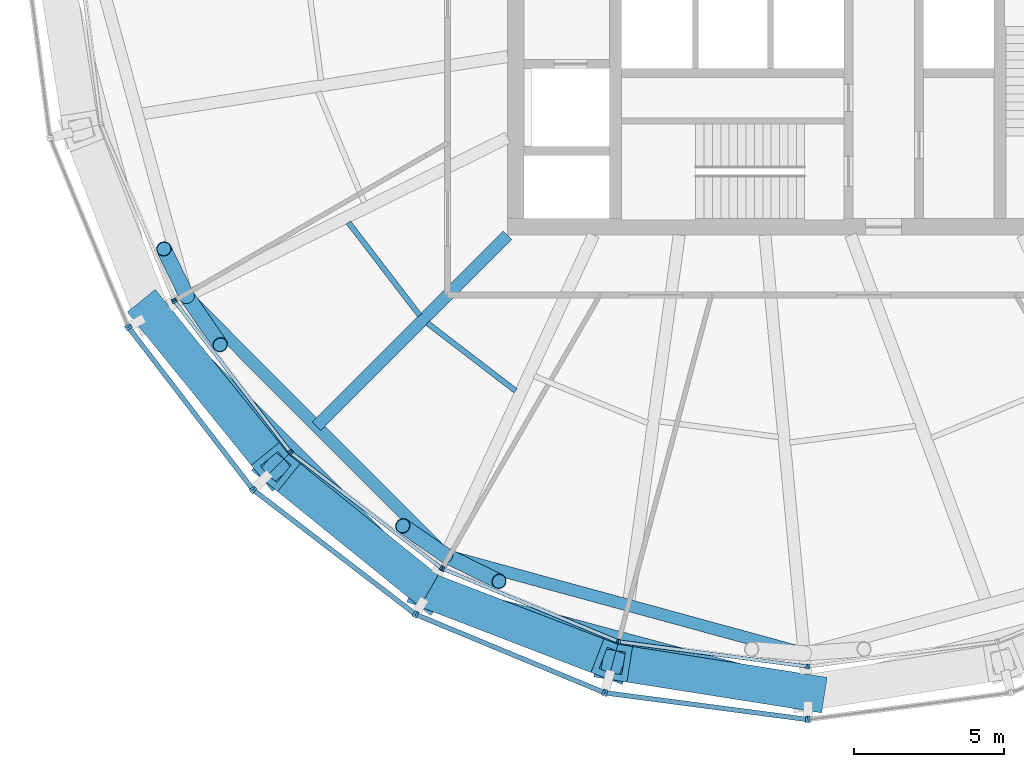
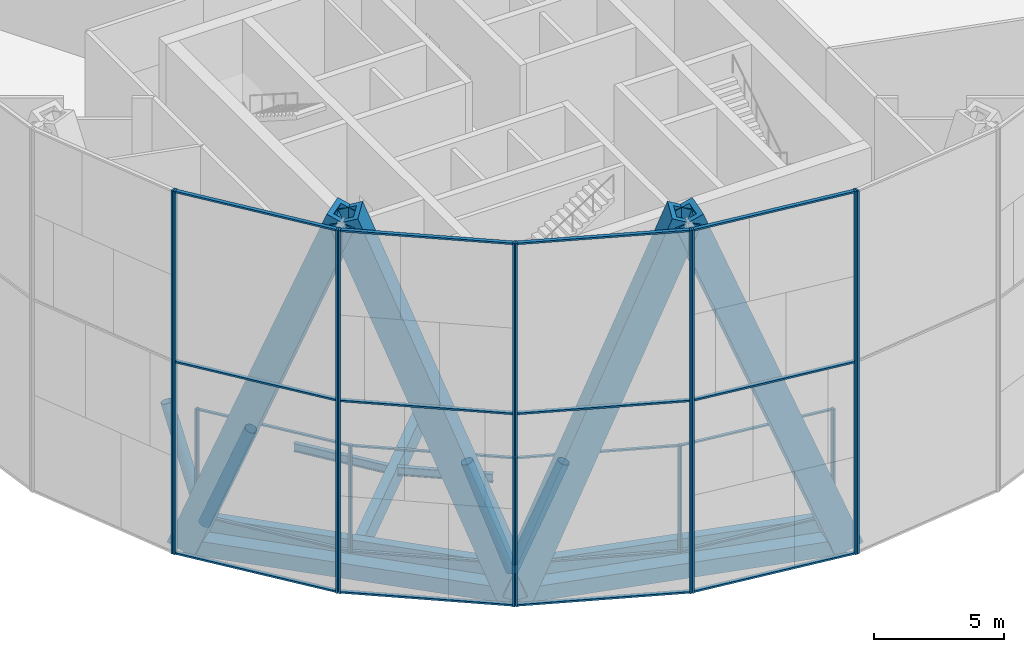
# One storey, part 1 of 17: 48 members, 7 beams, 12 elements without a shape of their own.
"""IFC4 building model written with IfcOpenShell, lengths in metres."""

from ifc_helpers import new_model, si_unit, direction, frame, origin, origin_2d, place, context, subcontext, project, spatial, rectangle, hollow_rectangle, hollow_circle, i_section, extrude, material, material_profile, profile_set, type_object, element, aggregate, save


model = new_model("IFC4")

# Units and contexts
model_context = context("Model", 3, precision=1e-05, world=origin(), true_north=direction((0.0, 1.0)))
body_context = subcontext(model_context, "Body", "Model", "MODEL_VIEW")
ifc_project = project(units=[si_unit("LENGTHUNIT", "METRE"), si_unit("AREAUNIT", "SQUARE_METRE"), si_unit("VOLUMEUNIT", "CUBIC_METRE"), si_unit("PLANEANGLEUNIT", "RADIAN"), si_unit("MASSUNIT", "GRAM", prefix="KILO")], contexts=[model_context])

# Site, building, storey
site_placement = place(None, origin())
site = spatial("IfcSite", under=ifc_project, at=site_placement, CompositionType="ELEMENT")
building_placement = place(site_placement, origin())
building = spatial("IfcBuilding", under=site, at=building_placement, Name="Golbaran Civic Tower", CompositionType="ELEMENT")
storey_placement = place(building_placement, frame((0.0, 0.0, 150.0)))
storey = spatial("IfcBuildingStorey", under=building, at=storey_placement, Name="L36", CompositionType="ELEMENT", Elevation=150.0)

# Members
ifc_material_1 = material(Name="Steel S355", Category="steel")
ifc_material_profile_1 = material_profile(ifc_material_1, hollow_circle(Radius=0.25390625, WallThickness=0.02490234375, at=origin_2d()), Name="CHS 508.0x25")
ifc_profile_set_1 = profile_set([ifc_material_profile_1], Name="Steel S355")
member_type_1 = type_object("IfcMemberType", Name="BELT TRUSS DIAGONAL CHS 508.0x25", PredefinedType="BRACE", material=ifc_profile_set_1)
member_1_placement = place(storey_placement, frame((-20.683349609375, -12.037841796875, -0.60009765625), z_axis=(0.206640802217, -0.300481641772, 0.931133911861), x_axis=(0.823965525405, 0.56663993236, 0.0)))
element("IfcMember", 1, at=member_1_placement, inside=storey, type_object=member_type_1, Name="Belt truss diagonal 210.00R L36", PredefinedType="BRACE", context=body_context, shape_type="SweptSolid", body=[
    extrude(hollow_circle(Radius=0.25390625, WallThickness=0.02490234375, at=origin_2d()), origin(), (0.0, 0.0, 1.0), 5.369873046875),
])
member_2_placement = place(storey_placement, frame((-20.683349609375, -12.037841796875, -0.60009765625), z_axis=(-0.144666349872, 0.297948179816, 0.943556320184), x_axis=(-0.89956906414, -0.436778546683, 0.0)))
element("IfcMember", 2, at=member_2_placement, inside=storey, type_object=member_type_1, Name="Belt truss diagonal 210.00L L36", PredefinedType="BRACE", context=body_context, shape_type="SweptSolid", body=[
    extrude(hollow_circle(Radius=0.25390625, WallThickness=0.02490234375, at=origin_2d()), origin(), (0.0, 0.0, 1.0), 5.299072265625),
])
member_3_placement = place(storey_placement, frame((-12.068603515625, -20.66552734375, -0.60009765625), z_axis=(0.331275116984, -0.161325262505, 0.929640229629), x_axis=(0.437826456737, 0.899059505139, 0.0)))
element("IfcMember", 3, at=member_3_placement, inside=storey, type_object=member_type_1, Name="Belt truss diagonal 240.00R L36", PredefinedType="BRACE", context=body_context, shape_type="SweptSolid", body=[
    extrude(hollow_circle(Radius=0.25390625, WallThickness=0.02490234375, at=origin_2d()), origin(), (0.0, 0.0, 1.0), 5.37841796875),
])
member_4_placement = place(storey_placement, frame((-12.068603515625, -20.66552734375, -0.60009765625), z_axis=(-0.269161972985, 0.18559394057, 0.945043237912), x_axis=(-0.567660393907, -0.823262823884, 0.0)))
element("IfcMember", 4, at=member_4_placement, inside=storey, type_object=member_type_1, Name="Belt truss diagonal 240.00L L36", PredefinedType="BRACE", context=body_context, shape_type="SweptSolid", body=[
    extrude(hollow_circle(Radius=0.25390625, WallThickness=0.02490234375, at=origin_2d()), origin(), (0.0, 0.0, 1.0), 5.290771484375),
])
ifc_material_profile_2 = material_profile(ifc_material_1, hollow_rectangle(XDim=1.199951171875, YDim=1.199951171875, WallThickness=0.219970703125, at=origin_2d()), Name="BOX 1200x1200x220")
ifc_profile_set_2 = profile_set([ifc_material_profile_2], Name="Steel S355")
member_type_2 = type_object("IfcMemberType", Name="DIAGRID DIAGONAL BOX 1200x1200x220", PredefinedType="BRACE", material=ifc_profile_set_2)
for number, where, z_axis, x_axis, name in (
    (5, (-21.853271484375, -12.616943359375, -0.7099609375), (0.22667961159, -0.280131041779, 0.932814533078), (0.77737125081, 0.629042080003, 0.0), "Diagonal D08-07R L36-L40"),
    (6, (-12.616943359375, -21.853271484375, -0.7099609375), (0.336369669426, -0.129261656788, 0.932816632342), (0.358710018371, 0.933449046665, 0.0), "Diagonal D08-08R L36-L40"),
    (7, (-12.616943359375, -21.853271484375, -0.7099609375), (-0.280131041779, 0.22667961159, 0.932814533078), (-0.629042080003, -0.77737125081, 0.0), "Diagonal D08-08L L36-L40"),
    (8, (0.0, -25.23388671875, -0.7099609375), (-0.35594104321, 0.056237881046, 0.932814705337), (-0.15606184074, -0.987747286438, 0.0), "Diagonal D08-09L L36-L40"),
):
    element("IfcMember", number, at=place(storey_placement, frame(where, z_axis=z_axis, x_axis=x_axis)), inside=storey, type_object=member_type_2, Name=name, PredefinedType="BRACE", context=body_context, shape_type="SweptSolid", body=[
        extrude(hollow_rectangle(XDim=1.199951171875, YDim=1.199951171875, WallThickness=0.219970703125, at=origin_2d()), origin(), (0.0, 0.0, 1.0), 18.224365234375),
    ])

# Beams
ifc_material_profile_3 = material_profile(ifc_material_1, hollow_rectangle(XDim=0.699951171875, YDim=0.699951171875, WallThickness=0.080078125, at=origin_2d()), Name="BOX 700x700x80")
ifc_profile_set_3 = profile_set([ifc_material_profile_3], Name="Steel S355")
beam_type_1 = type_object("IfcBeamType", Name="DIAGRID RING TIE BOX 700x700x80", PredefinedType="BEAM", material=ifc_profile_set_3)
beam_1_placement = place(storey_placement, frame((-21.853271484375, -12.616943359375, -0.7099609375), z_axis=(0.707106781187, -0.707106781187, 0.0), x_axis=(0.707106781187, 0.707106781187, 0.0)))
element("IfcBeam", 9, at=beam_1_placement, inside=storey, type_object=beam_type_1, Name="Ring tie 210.00 L36", PredefinedType="BEAM", context=body_context, shape_type="SweptSolid", body=[
    extrude(hollow_rectangle(XDim=0.699951171875, YDim=0.699951171875, WallThickness=0.080078125, at=origin_2d()), origin(), (0.0, 0.0, 1.0), 13.062255859375),
])
beam_2_placement = place(storey_placement, frame((-12.616943359375, -21.853271484375, -0.7099609375), z_axis=(0.965927444509, -0.258813005749, 0.0), x_axis=(0.258813005749, 0.965927444509, 0.0)))
element("IfcBeam", 10, at=beam_2_placement, inside=storey, type_object=beam_type_1, Name="Ring tie 240.00 L36", PredefinedType="BEAM", context=body_context, shape_type="SweptSolid", body=[
    extrude(hollow_rectangle(XDim=0.699951171875, YDim=0.699951171875, WallThickness=0.080078125, at=origin_2d()), origin(), (0.0, 0.0, 1.0), 13.06201171875),
])
ifc_material_profile_4 = material_profile(ifc_material_1, hollow_rectangle(XDim=0.39990234375, YDim=0.800048828125, WallThickness=0.0400390625, at=origin_2d()), Name="BOX 800x400x40")
ifc_profile_set_4 = profile_set([ifc_material_profile_4], Name="Steel S355")
beam_type_2 = type_object("IfcBeamType", Name="EDGE BEAM BOX 800x400x40", PredefinedType="BEAM", material=ifc_profile_set_4)
beam_3_placement = place(storey_placement, frame((-20.54931640625, -12.17236328125, -0.60009765625), z_axis=(0.706589807333, -0.707623377351, 0.0), x_axis=(0.707623377351, 0.706589807333, 0.0)))
element("IfcBeam", 11, at=beam_3_placement, inside=storey, type_object=beam_type_2, Name="Edge beam 210.00 L36", PredefinedType="BEAM", context=body_context, shape_type="SweptSolid", body=[
    extrude(hollow_rectangle(XDim=0.39990234375, YDim=0.800048828125, WallThickness=0.0400390625, at=origin_2d()), origin(), (0.0, 0.0, 1.0), 11.810546875),
])
beam_4_placement = place(storey_placement, frame((-11.892578125, -20.7138671875, -0.60009765625), z_axis=(0.964616368388, -0.263657470665, 0.0), x_axis=(0.263657470665, 0.964616368388, 0.0)))
element("IfcBeam", 12, at=beam_4_placement, inside=storey, type_object=beam_type_2, Name="Edge beam 240.00 L36", PredefinedType="BEAM", context=body_context, shape_type="SweptSolid", body=[
    extrude(hollow_rectangle(XDim=0.39990234375, YDim=0.800048828125, WallThickness=0.0400390625, at=origin_2d()), origin(), (0.0, 0.0, 1.0), 12.010009765625),
])
ifc_material_profile_5 = material_profile(ifc_material_1, i_section(OverallWidth=0.179931640625, OverallDepth=0.39990234375, WebThickness=0.008544921875, FlangeThickness=0.013427734375, FilletRadius=0.02099609375, at=origin_2d()), Name="IPE 400")
ifc_profile_set_5 = profile_set([ifc_material_profile_5], Name="Steel S355")
beam_type_3 = type_object("IfcBeamType", Name="FLOOR INFILL BEAM IPE 400", PredefinedType="BEAM", material=ifc_profile_set_5)
beam_5_placement = place(storey_placement, frame((-15.304931640625, -9.57666015625, -0.39990234375), z_axis=(0.608749219954, -0.793362708479, 0.0), x_axis=(0.793362708479, 0.608749219954, 0.0)))
element("IfcBeam", 13, at=beam_5_placement, inside=storey, type_object=beam_type_3, Name="Infill beam 217.50 L36", PredefinedType="BEAM", context=body_context, shape_type="SweptSolid", body=[
    extrude(i_section(OverallWidth=0.179931640625, OverallDepth=0.39990234375, WebThickness=0.008544921875, FlangeThickness=0.013427734375, FilletRadius=0.02099609375, at=origin_2d()), origin(), (0.0, 0.0, 1.0), 3.90380859375),
])
beam_6_placement = place(storey_placement, frame((-12.675537109375, -12.929931640625, -0.39990234375), z_axis=(0.793365568043, -0.608745493161, 0.0), x_axis=(0.608745493161, 0.793365568043, 0.0)))
element("IfcBeam", 14, at=beam_6_placement, inside=storey, type_object=beam_type_3, Name="Infill beam 232.50 L36", PredefinedType="BEAM", context=body_context, shape_type="SweptSolid", body=[
    extrude(i_section(OverallWidth=0.179931640625, OverallDepth=0.39990234375, WebThickness=0.008544921875, FlangeThickness=0.013427734375, FilletRadius=0.02099609375, at=origin_2d()), origin(), (0.0, 0.0, 1.0), 3.705322265625),
])

# Curtain wall, member
ifc_material_2 = material(Name="Aluminium and glass", Category="aluminium")
curtain_wall_type_1 = type_object("IfcCurtainWallType", Name="OUTER SKIN TERRACOTTA SCREEN", PredefinedType="NOTDEFINED", material=ifc_material_2)
curtain_wall_1_placement = place(storey_placement, origin())
curtain_wall_1 = element("IfcCurtainWall", 15, at=curtain_wall_1_placement, inside=storey, type_object=curtain_wall_type_1, Name="Outer skin L36 facet 14 CW3", ObjectType="OUTER SKIN", PredefinedType="USERDEFINED")
ifc_material_3 = material(Name="Aluminium", Category="aluminium")
ifc_material_profile_6 = material_profile(ifc_material_3, rectangle(XDim=0.219970703125, YDim=0.080078125, at=origin_2d()), Name="OUTER SKIN TERRACOTTA SCREEN MULLION")
ifc_profile_set_6 = profile_set([ifc_material_profile_6], Name="Aluminium")
member_type_3 = type_object("IfcMemberType", Name="OUTER SKIN TERRACOTTA SCREEN MULLION", PredefinedType="MULLION", material=ifc_profile_set_6)
member_5_placement = place(storey_placement, frame((-22.64794921875, -13.030029296875, -0.7099609375), z_axis=(0.0, 0.0, 1.0), x_axis=(0.923879532545, 0.382683432284, 0.0)))
member_5 = element("IfcMember", 16, at=member_5_placement, type_object=member_type_3, Name="CW3 mullion 2", PredefinedType="MULLION", context=body_context, shape_type="SweptSolid", body=[
    extrude(rectangle(XDim=0.219970703125, YDim=0.080078125, at=origin_2d()), origin(), (0.0, 0.0, 1.0), 17.0),
])
aggregate(curtain_wall_1, [member_5])

# Curtain wall, members
curtain_wall_2_placement = place(storey_placement, origin())
curtain_wall_2 = element("IfcCurtainWall", 17, at=curtain_wall_2_placement, inside=storey, type_object=curtain_wall_type_1, Name="Outer skin L36 facet 15 CW3", ObjectType="OUTER SKIN", PredefinedType="USERDEFINED")
member_6_placement = place(storey_placement, frame((-22.6083984375, -13.0986328125, -0.7099609375), z_axis=(0.0, 0.0, 1.0), x_axis=(0.793353340312, 0.608761428981, 0.0)))
member_6 = element("IfcMember", 18, at=member_6_placement, type_object=member_type_3, Name="CW3 mullion 1", PredefinedType="MULLION", context=body_context, shape_type="SweptSolid", body=[
    extrude(rectangle(XDim=0.219970703125, YDim=0.080078125, at=origin_2d()), origin(), (0.0, 0.0, 1.0), 17.0),
])
member_7_placement = place(storey_placement, frame((-18.50390625, -18.44775390625, -0.7099609375), z_axis=(0.0, 0.0, 1.0), x_axis=(0.793353340312, 0.608761428981, 0.0)))
member_7 = element("IfcMember", 19, at=member_7_placement, type_object=member_type_3, Name="CW3 mullion 2", PredefinedType="MULLION", context=body_context, shape_type="SweptSolid", body=[
    extrude(rectangle(XDim=0.219970703125, YDim=0.080078125, at=origin_2d()), origin(), (0.0, 0.0, 1.0), 17.0),
])

curtain_wall_3_placement = place(storey_placement, origin())
curtain_wall_3 = element("IfcCurtainWall", 20, at=curtain_wall_3_placement, inside=storey, type_object=curtain_wall_type_1, Name="Outer skin L36 facet 16 CW3", ObjectType="OUTER SKIN", PredefinedType="USERDEFINED")
member_8_placement = place(storey_placement, frame((-18.44775390625, -18.50390625, -0.7099609375), z_axis=(0.0, 0.0, 1.0), x_axis=(0.608761428981, 0.793353340312, 0.0)))
member_8 = element("IfcMember", 21, at=member_8_placement, type_object=member_type_3, Name="CW3 mullion 1", PredefinedType="MULLION", context=body_context, shape_type="SweptSolid", body=[
    extrude(rectangle(XDim=0.219970703125, YDim=0.080078125, at=origin_2d()), origin(), (0.0, 0.0, 1.0), 17.0),
])
member_9_placement = place(storey_placement, frame((-13.0986328125, -22.6083984375, -0.7099609375), z_axis=(0.0, 0.0, 1.0), x_axis=(0.608761428981, 0.793353340312, 0.0)))
member_9 = element("IfcMember", 22, at=member_9_placement, type_object=member_type_3, Name="CW3 mullion 2", PredefinedType="MULLION", context=body_context, shape_type="SweptSolid", body=[
    extrude(rectangle(XDim=0.219970703125, YDim=0.080078125, at=origin_2d()), origin(), (0.0, 0.0, 1.0), 17.0),
])

curtain_wall_4_placement = place(storey_placement, origin())
curtain_wall_4 = element("IfcCurtainWall", 23, at=curtain_wall_4_placement, inside=storey, type_object=curtain_wall_type_1, Name="Outer skin L36 facet 17 CW3", ObjectType="OUTER SKIN", PredefinedType="USERDEFINED")
member_10_placement = place(storey_placement, frame((-13.030029296875, -22.64794921875, -0.7099609375), z_axis=(0.0, 0.0, 1.0), x_axis=(0.382683432284, 0.923879532545, 0.0)))
member_10 = element("IfcMember", 24, at=member_10_placement, type_object=member_type_3, Name="CW3 mullion 1", PredefinedType="MULLION", context=body_context, shape_type="SweptSolid", body=[
    extrude(rectangle(XDim=0.219970703125, YDim=0.080078125, at=origin_2d()), origin(), (0.0, 0.0, 1.0), 17.0),
])
member_11_placement = place(storey_placement, frame((-6.801025390625, -25.228271484375, -0.7099609375), z_axis=(0.0, 0.0, 1.0), x_axis=(0.382683432284, 0.923879532545, 0.0)))
member_11 = element("IfcMember", 25, at=member_11_placement, type_object=member_type_3, Name="CW3 mullion 2", PredefinedType="MULLION", context=body_context, shape_type="SweptSolid", body=[
    extrude(rectangle(XDim=0.219970703125, YDim=0.080078125, at=origin_2d()), origin(), (0.0, 0.0, 1.0), 17.0),
])

curtain_wall_5_placement = place(storey_placement, origin())
curtain_wall_5 = element("IfcCurtainWall", 26, at=curtain_wall_5_placement, inside=storey, type_object=curtain_wall_type_1, Name="Outer skin L36 facet 18 CW3", ObjectType="OUTER SKIN", PredefinedType="USERDEFINED")
member_12_placement = place(storey_placement, frame((-6.724365234375, -25.248779296875, -0.7099609375), z_axis=(0.0, 0.0, 1.0), x_axis=(0.130526192255, 0.991444861369, 0.0)))
member_12 = element("IfcMember", 27, at=member_12_placement, type_object=member_type_3, Name="CW3 mullion 1", PredefinedType="MULLION", context=body_context, shape_type="SweptSolid", body=[
    extrude(rectangle(XDim=0.219970703125, YDim=0.080078125, at=origin_2d()), origin(), (0.0, 0.0, 1.0), 17.0),
])
member_13_placement = place(storey_placement, frame((-0.03955078125, -26.128662109375, -0.7099609375), z_axis=(0.0, 0.0, 1.0), x_axis=(0.130526192255, 0.991444861369, 0.0)))
member_13 = element("IfcMember", 28, at=member_13_placement, type_object=member_type_3, Name="CW3 mullion 2", PredefinedType="MULLION", context=body_context, shape_type="SweptSolid", body=[
    extrude(rectangle(XDim=0.219970703125, YDim=0.080078125, at=origin_2d()), origin(), (0.0, 0.0, 1.0), 17.0),
])

# Curtain wall, member
curtain_wall_6_placement = place(storey_placement, origin())
curtain_wall_6 = element("IfcCurtainWall", 29, at=curtain_wall_6_placement, inside=storey, type_object=curtain_wall_type_1, Name="Outer skin L36 facet 19 CW3", ObjectType="OUTER SKIN", PredefinedType="USERDEFINED")
member_14_placement = place(storey_placement, frame((0.03955078125, -26.128662109375, -0.7099609375), z_axis=(0.0, 0.0, 1.0), x_axis=(-0.130526192255, 0.991444861369, 0.0)))
member_14 = element("IfcMember", 30, at=member_14_placement, type_object=member_type_3, Name="CW3 mullion 1", PredefinedType="MULLION", context=body_context, shape_type="SweptSolid", body=[
    extrude(rectangle(XDim=0.219970703125, YDim=0.080078125, at=origin_2d()), origin(), (0.0, 0.0, 1.0), 17.0),
])
aggregate(curtain_wall_6, [member_14])

# Member
ifc_material_profile_7 = material_profile(ifc_material_3, rectangle(XDim=0.159912109375, YDim=0.080078125, at=origin_2d()), Name="OUTER SKIN TERRACOTTA SCREEN TRANSOM")
ifc_profile_set_7 = profile_set([ifc_material_profile_7], Name="Aluminium")
member_type_4 = type_object("IfcMemberType", Name="OUTER SKIN TERRACOTTA SCREEN TRANSOM", PredefinedType="USERDEFINED", material=ifc_profile_set_7)
member_15_placement = place(storey_placement, frame((-22.583984375, -13.13037109375, -0.669921875), z_axis=(0.608746914516, -0.793364477442, 0.0), x_axis=(0.793364477442, 0.608746914516, 0.0)))
member_15 = element("IfcMember", 31, at=member_15_placement, type_object=member_type_4, Name="CW3 transom 1.1", ObjectType="TRANSOM", PredefinedType="USERDEFINED", context=body_context, shape_type="SweptSolid", body=[
    extrude(rectangle(XDim=0.159912109375, YDim=0.080078125, at=origin_2d()), origin(), (0.0, 0.0, 1.0), 6.662353515625),
])

member_16_placement = place(storey_placement, frame((-22.583984375, -13.13037109375, 8.2900390625), z_axis=(0.608746914516, -0.793364477442, 0.0), x_axis=(0.793364477442, 0.608746914516, 0.0)))
member_16 = element("IfcMember", 32, at=member_16_placement, type_object=member_type_4, Name="CW3 transom 1.2", ObjectType="TRANSOM", PredefinedType="USERDEFINED", context=body_context, shape_type="SweptSolid", body=[
    extrude(rectangle(XDim=0.159912109375, YDim=0.080078125, at=origin_2d()), origin(), (0.0, 0.0, 1.0), 6.662353515625),
])

member_17_placement = place(storey_placement, frame((-22.583984375, -13.13037109375, 16.25), z_axis=(0.608746914516, -0.793364477442, 0.0), x_axis=(0.793364477442, 0.608746914516, 0.0)))
member_17 = element("IfcMember", 33, at=member_17_placement, type_object=member_type_4, Name="CW3 transom 1.3", ObjectType="TRANSOM", PredefinedType="USERDEFINED", context=body_context, shape_type="SweptSolid", body=[
    extrude(rectangle(XDim=0.159912109375, YDim=0.080078125, at=origin_2d()), origin(), (0.0, 0.0, 1.0), 6.662353515625),
])

aggregate(curtain_wall_2, [member_6, member_7, member_15, member_16, member_17])

member_18_placement = place(storey_placement, frame((-18.416015625, -18.5283203125, -0.669921875), z_axis=(0.793364477442, -0.608746914516, 0.0), x_axis=(0.608746914516, 0.793364477442, 0.0)))
member_18 = element("IfcMember", 34, at=member_18_placement, type_object=member_type_4, Name="CW3 transom 1.1", ObjectType="TRANSOM", PredefinedType="USERDEFINED", context=body_context, shape_type="SweptSolid", body=[
    extrude(rectangle(XDim=0.159912109375, YDim=0.080078125, at=origin_2d()), origin(), (0.0, 0.0, 1.0), 6.662353515625),
])

member_19_placement = place(storey_placement, frame((-18.416015625, -18.5283203125, 8.2900390625), z_axis=(0.793364477442, -0.608746914516, 0.0), x_axis=(0.608746914516, 0.793364477442, 0.0)))
member_19 = element("IfcMember", 35, at=member_19_placement, type_object=member_type_4, Name="CW3 transom 1.2", ObjectType="TRANSOM", PredefinedType="USERDEFINED", context=body_context, shape_type="SweptSolid", body=[
    extrude(rectangle(XDim=0.159912109375, YDim=0.080078125, at=origin_2d()), origin(), (0.0, 0.0, 1.0), 6.662353515625),
])

member_20_placement = place(storey_placement, frame((-18.416015625, -18.5283203125, 16.25), z_axis=(0.793364477442, -0.608746914516, 0.0), x_axis=(0.608746914516, 0.793364477442, 0.0)))
member_20 = element("IfcMember", 36, at=member_20_placement, type_object=member_type_4, Name="CW3 transom 1.3", ObjectType="TRANSOM", PredefinedType="USERDEFINED", context=body_context, shape_type="SweptSolid", body=[
    extrude(rectangle(XDim=0.159912109375, YDim=0.080078125, at=origin_2d()), origin(), (0.0, 0.0, 1.0), 6.662353515625),
])

aggregate(curtain_wall_3, [member_8, member_9, member_18, member_19, member_20])

member_21_placement = place(storey_placement, frame((-12.9931640625, -22.663330078125, -0.669921875), z_axis=(0.923881506114, -0.382678667632, 0.0), x_axis=(0.382678667632, 0.923881506114, 0.0)))
member_21 = element("IfcMember", 37, at=member_21_placement, type_object=member_type_4, Name="CW3 transom 1.1", ObjectType="TRANSOM", PredefinedType="USERDEFINED", context=body_context, shape_type="SweptSolid", body=[
    extrude(rectangle(XDim=0.159912109375, YDim=0.080078125, at=origin_2d()), origin(), (0.0, 0.0, 1.0), 6.662353515625),
])

member_22_placement = place(storey_placement, frame((-12.9931640625, -22.663330078125, 8.2900390625), z_axis=(0.923881506114, -0.382678667632, 0.0), x_axis=(0.382678667632, 0.923881506114, 0.0)))
member_22 = element("IfcMember", 38, at=member_22_placement, type_object=member_type_4, Name="CW3 transom 1.2", ObjectType="TRANSOM", PredefinedType="USERDEFINED", context=body_context, shape_type="SweptSolid", body=[
    extrude(rectangle(XDim=0.159912109375, YDim=0.080078125, at=origin_2d()), origin(), (0.0, 0.0, 1.0), 6.662353515625),
])

member_23_placement = place(storey_placement, frame((-12.9931640625, -22.663330078125, 16.25), z_axis=(0.923881506114, -0.382678667632, 0.0), x_axis=(0.382678667632, 0.923881506114, 0.0)))
member_23 = element("IfcMember", 39, at=member_23_placement, type_object=member_type_4, Name="CW3 transom 1.3", ObjectType="TRANSOM", PredefinedType="USERDEFINED", context=body_context, shape_type="SweptSolid", body=[
    extrude(rectangle(XDim=0.159912109375, YDim=0.080078125, at=origin_2d()), origin(), (0.0, 0.0, 1.0), 6.662353515625),
])

aggregate(curtain_wall_4, [member_10, member_11, member_21, member_22, member_23])

member_24_placement = place(storey_placement, frame((-6.6845703125, -25.25390625, -0.669921875), z_axis=(0.991444189485, -0.130531295618, 0.0), x_axis=(0.130531295618, 0.991444189485, 0.0)))
member_24 = element("IfcMember", 40, at=member_24_placement, type_object=member_type_4, Name="CW3 transom 1.1", ObjectType="TRANSOM", PredefinedType="USERDEFINED", context=body_context, shape_type="SweptSolid", body=[
    extrude(rectangle(XDim=0.159912109375, YDim=0.080078125, at=origin_2d()), origin(), (0.0, 0.0, 1.0), 6.662109375),
])

member_25_placement = place(storey_placement, frame((-6.6845703125, -25.25390625, 8.2900390625), z_axis=(0.991444189485, -0.130531295618, 0.0), x_axis=(0.130531295618, 0.991444189485, 0.0)))
member_25 = element("IfcMember", 41, at=member_25_placement, type_object=member_type_4, Name="CW3 transom 1.2", ObjectType="TRANSOM", PredefinedType="USERDEFINED", context=body_context, shape_type="SweptSolid", body=[
    extrude(rectangle(XDim=0.159912109375, YDim=0.080078125, at=origin_2d()), origin(), (0.0, 0.0, 1.0), 6.662109375),
])

member_26_placement = place(storey_placement, frame((-6.6845703125, -25.25390625, 16.25), z_axis=(0.991444189485, -0.130531295618, 0.0), x_axis=(0.130531295618, 0.991444189485, 0.0)))
member_26 = element("IfcMember", 42, at=member_26_placement, type_object=member_type_4, Name="CW3 transom 1.3", ObjectType="TRANSOM", PredefinedType="USERDEFINED", context=body_context, shape_type="SweptSolid", body=[
    extrude(rectangle(XDim=0.159912109375, YDim=0.080078125, at=origin_2d()), origin(), (0.0, 0.0, 1.0), 6.662109375),
])

aggregate(curtain_wall_5, [member_12, member_13, member_24, member_25, member_26])

# Curtain wall, member
curtain_wall_type_2 = type_object("IfcCurtainWallType", Name="PLANT FLOOR LOUVRE WALL", PredefinedType="NOTDEFINED", material=ifc_material_2)
curtain_wall_7_placement = place(storey_placement, origin())
curtain_wall_7 = element("IfcCurtainWall", 43, at=curtain_wall_7_placement, inside=storey, type_object=curtain_wall_type_2, Name="Inner skin L36 facet 14 CW6", ObjectType="PLANT LOUVRE WALL", PredefinedType="USERDEFINED")
ifc_material_profile_8 = material_profile(ifc_material_3, rectangle(XDim=0.159912109375, YDim=0.070068359375, at=origin_2d()), Name="PLANT FLOOR LOUVRE WALL MULLION")
ifc_profile_set_8 = profile_set([ifc_material_profile_8], Name="Aluminium")
member_type_5 = type_object("IfcMemberType", Name="PLANT FLOOR LOUVRE WALL MULLION", PredefinedType="MULLION", material=ifc_profile_set_8)
member_27_placement = place(storey_placement, frame((-21.118408203125, -12.152587890625, 0.0), z_axis=(0.0, 0.0, 1.0), x_axis=(0.923879532485, 0.38268343243, 0.0)))
member_27 = element("IfcMember", 44, at=member_27_placement, type_object=member_type_5, Name="CW6 mullion 2", PredefinedType="MULLION", context=body_context, shape_type="SweptSolid", body=[
    extrude(rectangle(XDim=0.159912109375, YDim=0.070068359375, at=origin_2d()), origin(), (0.0, 0.0, 1.0), 5.0),
])
aggregate(curtain_wall_7, [member_27])

# Curtain wall, members
curtain_wall_8_placement = place(storey_placement, origin())
curtain_wall_8 = element("IfcCurtainWall", 45, at=curtain_wall_8_placement, inside=storey, type_object=curtain_wall_type_2, Name="Inner skin L36 facet 15 CW6", ObjectType="PLANT LOUVRE WALL", PredefinedType="USERDEFINED")
member_28_placement = place(storey_placement, frame((-21.083740234375, -12.212646484375, 0.0), z_axis=(0.0, 0.0, 1.0), x_axis=(0.793353340376, 0.608761428898, 0.0)))
member_28 = element("IfcMember", 46, at=member_28_placement, type_object=member_type_5, Name="CW6 mullion 1", PredefinedType="MULLION", context=body_context, shape_type="SweptSolid", body=[
    extrude(rectangle(XDim=0.159912109375, YDim=0.070068359375, at=origin_2d()), origin(), (0.0, 0.0, 1.0), 5.0),
])
member_29_placement = place(storey_placement, frame((-17.25341796875, -17.204345703125, 0.0), z_axis=(0.0, 0.0, 1.0), x_axis=(0.793353340376, 0.608761428898, 0.0)))
member_29 = element("IfcMember", 47, at=member_29_placement, type_object=member_type_5, Name="CW6 mullion 2", PredefinedType="MULLION", context=body_context, shape_type="SweptSolid", body=[
    extrude(rectangle(XDim=0.159912109375, YDim=0.070068359375, at=origin_2d()), origin(), (0.0, 0.0, 1.0), 5.0),
])

curtain_wall_9_placement = place(storey_placement, origin())
curtain_wall_9 = element("IfcCurtainWall", 48, at=curtain_wall_9_placement, inside=storey, type_object=curtain_wall_type_2, Name="Inner skin L36 facet 16 CW6", ObjectType="PLANT LOUVRE WALL", PredefinedType="USERDEFINED")
member_30_placement = place(storey_placement, frame((-17.204345703125, -17.25341796875, 0.0), z_axis=(0.0, 0.0, 1.0), x_axis=(0.608761428898, 0.793353340376, 0.0)))
member_30 = element("IfcMember", 49, at=member_30_placement, type_object=member_type_5, Name="CW6 mullion 1", PredefinedType="MULLION", context=body_context, shape_type="SweptSolid", body=[
    extrude(rectangle(XDim=0.159912109375, YDim=0.070068359375, at=origin_2d()), origin(), (0.0, 0.0, 1.0), 5.0),
])
member_31_placement = place(storey_placement, frame((-12.212646484375, -21.083740234375, 0.0), z_axis=(0.0, 0.0, 1.0), x_axis=(0.608761428898, 0.793353340376, 0.0)))
member_31 = element("IfcMember", 50, at=member_31_placement, type_object=member_type_5, Name="CW6 mullion 2", PredefinedType="MULLION", context=body_context, shape_type="SweptSolid", body=[
    extrude(rectangle(XDim=0.159912109375, YDim=0.070068359375, at=origin_2d()), origin(), (0.0, 0.0, 1.0), 5.0),
])

curtain_wall_10_placement = place(storey_placement, origin())
curtain_wall_10 = element("IfcCurtainWall", 51, at=curtain_wall_10_placement, inside=storey, type_object=curtain_wall_type_2, Name="Inner skin L36 facet 17 CW6", ObjectType="PLANT LOUVRE WALL", PredefinedType="USERDEFINED")
member_32_placement = place(storey_placement, frame((-12.152587890625, -21.118408203125, 0.0), z_axis=(0.0, 0.0, 1.0), x_axis=(0.38268343243, 0.923879532485, 0.0)))
member_32 = element("IfcMember", 52, at=member_32_placement, type_object=member_type_5, Name="CW6 mullion 1", PredefinedType="MULLION", context=body_context, shape_type="SweptSolid", body=[
    extrude(rectangle(XDim=0.159912109375, YDim=0.070068359375, at=origin_2d()), origin(), (0.0, 0.0, 1.0), 5.0),
])
member_33_placement = place(storey_placement, frame((-6.33984375, -23.526123046875, 0.0), z_axis=(0.0, 0.0, 1.0), x_axis=(0.38268343243, 0.923879532485, 0.0)))
member_33 = element("IfcMember", 53, at=member_33_placement, type_object=member_type_5, Name="CW6 mullion 2", PredefinedType="MULLION", context=body_context, shape_type="SweptSolid", body=[
    extrude(rectangle(XDim=0.159912109375, YDim=0.070068359375, at=origin_2d()), origin(), (0.0, 0.0, 1.0), 5.0),
])

curtain_wall_11_placement = place(storey_placement, origin())
curtain_wall_11 = element("IfcCurtainWall", 54, at=curtain_wall_11_placement, inside=storey, type_object=curtain_wall_type_2, Name="Inner skin L36 facet 18 CW6", ObjectType="PLANT LOUVRE WALL", PredefinedType="USERDEFINED")
member_34_placement = place(storey_placement, frame((-6.272705078125, -23.544189453125, 0.0), z_axis=(0.0, 0.0, 1.0), x_axis=(0.130526192168, 0.991444861381, 0.0)))
member_34 = element("IfcMember", 55, at=member_34_placement, type_object=member_type_5, Name="CW6 mullion 1", PredefinedType="MULLION", context=body_context, shape_type="SweptSolid", body=[
    extrude(rectangle(XDim=0.159912109375, YDim=0.070068359375, at=origin_2d()), origin(), (0.0, 0.0, 1.0), 5.0),
])
member_35_placement = place(storey_placement, frame((-0.03466796875, -24.365478515625, 0.0), z_axis=(0.0, 0.0, 1.0), x_axis=(0.130526192168, 0.991444861381, 0.0)))
member_35 = element("IfcMember", 56, at=member_35_placement, type_object=member_type_5, Name="CW6 mullion 2", PredefinedType="MULLION", context=body_context, shape_type="SweptSolid", body=[
    extrude(rectangle(XDim=0.159912109375, YDim=0.070068359375, at=origin_2d()), origin(), (0.0, 0.0, 1.0), 5.0),
])

# Curtain wall, member
curtain_wall_12_placement = place(storey_placement, origin())
curtain_wall_12 = element("IfcCurtainWall", 57, at=curtain_wall_12_placement, inside=storey, type_object=curtain_wall_type_2, Name="Inner skin L36 facet 19 CW6", ObjectType="PLANT LOUVRE WALL", PredefinedType="USERDEFINED")
member_36_placement = place(storey_placement, frame((0.03466796875, -24.365478515625, 0.0), z_axis=(0.0, 0.0, 1.0), x_axis=(-0.130526192168, 0.991444861381, 0.0)))
member_36 = element("IfcMember", 58, at=member_36_placement, type_object=member_type_5, Name="CW6 mullion 1", PredefinedType="MULLION", context=body_context, shape_type="SweptSolid", body=[
    extrude(rectangle(XDim=0.159912109375, YDim=0.070068359375, at=origin_2d()), origin(), (0.0, 0.0, 1.0), 5.0),
])
aggregate(curtain_wall_12, [member_36])

# Member
ifc_material_profile_9 = material_profile(ifc_material_3, rectangle(XDim=0.1201171875, YDim=0.070068359375, at=origin_2d()), Name="PLANT FLOOR LOUVRE WALL TRANSOM")
ifc_profile_set_9 = profile_set([ifc_material_profile_9], Name="Aluminium")
member_type_6 = type_object("IfcMemberType", Name="PLANT FLOOR LOUVRE WALL TRANSOM", PredefinedType="USERDEFINED", material=ifc_profile_set_9)
member_37_placement = place(storey_placement, frame((-21.0625, -12.240478515625, 0.034912109375), z_axis=(0.608746996652, -0.79336441442, 0.0), x_axis=(0.79336441442, 0.608746996652, 0.0)))
member_37 = element("IfcMember", 59, at=member_37_placement, type_object=member_type_6, Name="CW6 transom 1.1", ObjectType="TRANSOM", PredefinedType="USERDEFINED", context=body_context, shape_type="SweptSolid", body=[
    extrude(rectangle(XDim=0.1201171875, YDim=0.070068359375, at=origin_2d()), origin(), (0.0, 0.0, 1.0), 6.221923828125),
])

member_38_placement = place(storey_placement, frame((-21.0625, -12.240478515625, 4.965087890625), z_axis=(0.608746996652, -0.79336441442, 0.0), x_axis=(0.79336441442, 0.608746996652, 0.0)))
member_38 = element("IfcMember", 60, at=member_38_placement, type_object=member_type_6, Name="CW6 transom 1.2", ObjectType="TRANSOM", PredefinedType="USERDEFINED", context=body_context, shape_type="SweptSolid", body=[
    extrude(rectangle(XDim=0.1201171875, YDim=0.070068359375, at=origin_2d()), origin(), (0.0, 0.0, 1.0), 6.221923828125),
])

aggregate(curtain_wall_8, [member_28, member_29, member_37, member_38])

member_39_placement = place(storey_placement, frame((-17.1767578125, -17.27490234375, 0.034912109375), z_axis=(0.79336441442, -0.608746996652, 0.0), x_axis=(0.608746996652, 0.79336441442, 0.0)))
member_39 = element("IfcMember", 61, at=member_39_placement, type_object=member_type_6, Name="CW6 transom 1.1", ObjectType="TRANSOM", PredefinedType="USERDEFINED", context=body_context, shape_type="SweptSolid", body=[
    extrude(rectangle(XDim=0.1201171875, YDim=0.070068359375, at=origin_2d()), origin(), (0.0, 0.0, 1.0), 6.221923828125),
])

member_40_placement = place(storey_placement, frame((-17.1767578125, -17.27490234375, 4.965087890625), z_axis=(0.79336441442, -0.608746996652, 0.0), x_axis=(0.608746996652, 0.79336441442, 0.0)))
member_40 = element("IfcMember", 62, at=member_40_placement, type_object=member_type_6, Name="CW6 transom 1.2", ObjectType="TRANSOM", PredefinedType="USERDEFINED", context=body_context, shape_type="SweptSolid", body=[
    extrude(rectangle(XDim=0.1201171875, YDim=0.070068359375, at=origin_2d()), origin(), (0.0, 0.0, 1.0), 6.221923828125),
])

aggregate(curtain_wall_9, [member_30, member_31, member_39, member_40])

member_41_placement = place(storey_placement, frame((-12.120361328125, -21.1318359375, 0.034912109375), z_axis=(0.923874792408, -0.382694875785, 0.0), x_axis=(0.382694875785, 0.923874792408, 0.0)))
member_41 = element("IfcMember", 63, at=member_41_placement, type_object=member_type_6, Name="CW6 transom 1.1", ObjectType="TRANSOM", PredefinedType="USERDEFINED", context=body_context, shape_type="SweptSolid", body=[
    extrude(rectangle(XDim=0.1201171875, YDim=0.070068359375, at=origin_2d()), origin(), (0.0, 0.0, 1.0), 6.221923828125),
])

member_42_placement = place(storey_placement, frame((-12.120361328125, -21.1318359375, 4.965087890625), z_axis=(0.923874792408, -0.382694875785, 0.0), x_axis=(0.382694875785, 0.923874792408, 0.0)))
member_42 = element("IfcMember", 64, at=member_42_placement, type_object=member_type_6, Name="CW6 transom 1.2", ObjectType="TRANSOM", PredefinedType="USERDEFINED", context=body_context, shape_type="SweptSolid", body=[
    extrude(rectangle(XDim=0.1201171875, YDim=0.070068359375, at=origin_2d()), origin(), (0.0, 0.0, 1.0), 6.221923828125),
])

aggregate(curtain_wall_10, [member_32, member_33, member_41, member_42])

member_43_placement = place(storey_placement, frame((-6.238037109375, -23.548828125, 0.034912109375), z_axis=(0.991447215603, -0.130508308826, 0.0), x_axis=(0.130508308826, 0.991447215603, 0.0)))
member_43 = element("IfcMember", 65, at=member_43_placement, type_object=member_type_6, Name="CW6 transom 1.1", ObjectType="TRANSOM", PredefinedType="USERDEFINED", context=body_context, shape_type="SweptSolid", body=[
    extrude(rectangle(XDim=0.1201171875, YDim=0.070068359375, at=origin_2d()), origin(), (0.0, 0.0, 1.0), 6.221923828125),
])

member_44_placement = place(storey_placement, frame((-6.238037109375, -23.548828125, 4.965087890625), z_axis=(0.991447215603, -0.130508308826, 0.0), x_axis=(0.130508308826, 0.991447215603, 0.0)))
member_44 = element("IfcMember", 66, at=member_44_placement, type_object=member_type_6, Name="CW6 transom 1.2", ObjectType="TRANSOM", PredefinedType="USERDEFINED", context=body_context, shape_type="SweptSolid", body=[
    extrude(rectangle(XDim=0.1201171875, YDim=0.070068359375, at=origin_2d()), origin(), (0.0, 0.0, 1.0), 6.221923828125),
])

aggregate(curtain_wall_11, [member_34, member_35, member_43, member_44])

# Beam
ifc_material_profile_10 = material_profile(ifc_material_1, hollow_rectangle(XDim=0.39990234375, YDim=1.0, WallThickness=0.0400390625, at=origin_2d()), Name="BOX 1000x400x40")
ifc_profile_set_10 = profile_set([ifc_material_profile_10], Name="Steel S355")
beam_type_4 = type_object("IfcBeamType", Name="SECONDARY FLOOR BEAM BOX 1000x400x40", PredefinedType="BEAM", material=ifc_profile_set_10)
beam_7_placement = place(storey_placement, frame((-10.0, -10.0, -0.7099609375), z_axis=(-0.707106781187, -0.707106781187, 0.0), x_axis=(0.707106781187, -0.707106781187, 0.0)))
element("IfcBeam", 67, at=beam_7_placement, inside=storey, type_object=beam_type_4, Name="Secondary beam 225.00 L36", PredefinedType="BEAM", context=body_context, shape_type="SweptSolid", body=[
    extrude(hollow_rectangle(XDim=0.39990234375, YDim=1.0, WallThickness=0.0400390625, at=origin_2d()), origin(), (0.0, 0.0, 1.0), 9.0),
])

save(model, "model.ifc")
